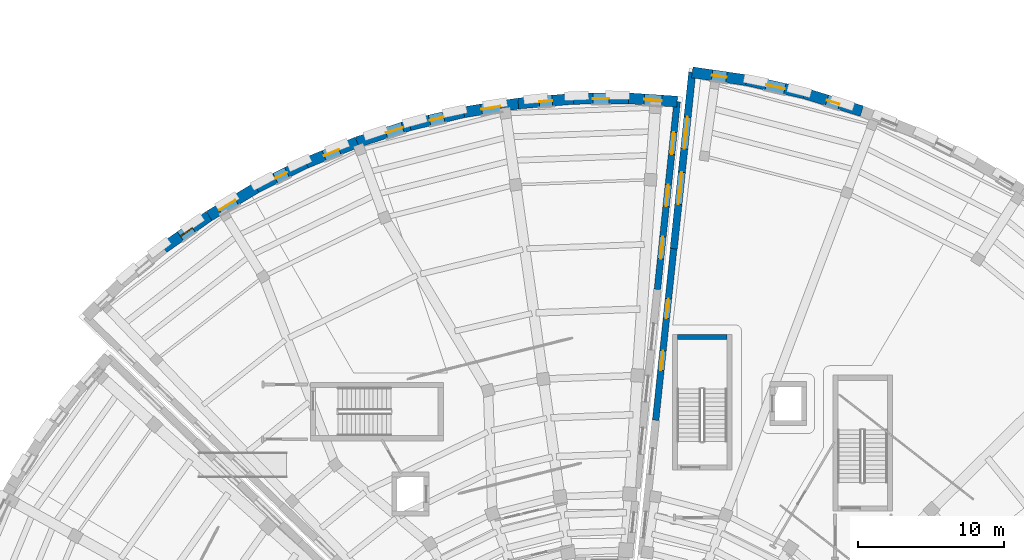
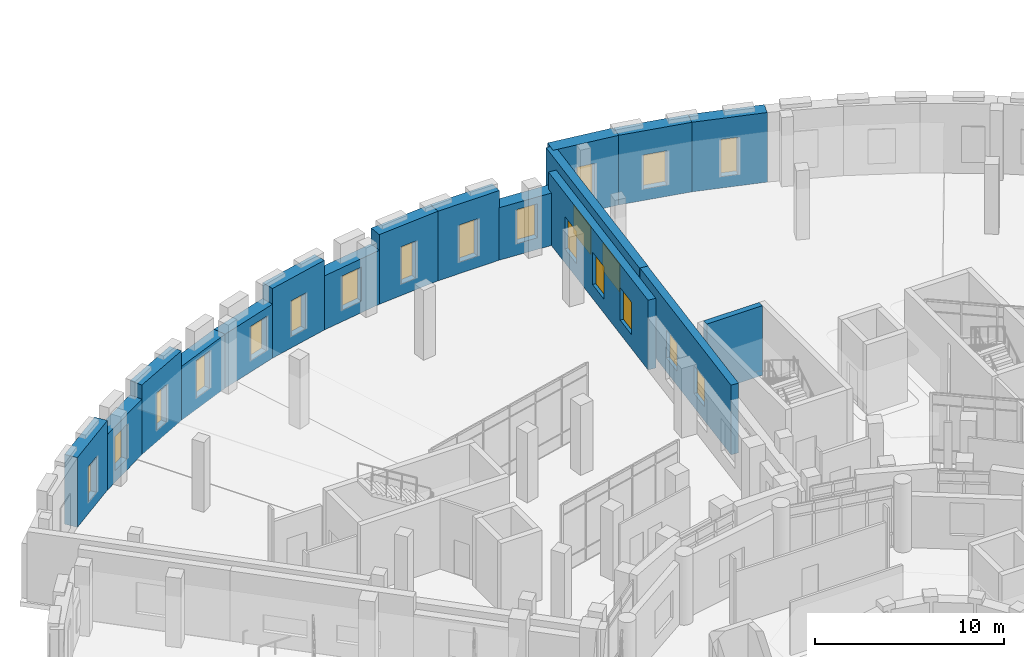
# One storey, part 70 of 89: 20 windows, 17 walls, 20 openings.
"""IFC4 building model written with IfcOpenShell, lengths in metres."""

from ifc_helpers import new_model, si_unit, direction, frame, frame_2d, origin, place, context, subcontext, project, spatial, rectangle, extrude, material, layer, layer_set, type_object, element, fill, save


model = new_model("IFC4")

# Units and contexts
model_context = context("Model", 3, precision=1e-05, world=origin(), true_north=direction((0.0, 1.0)))
body_context = subcontext(model_context, "Body", "Model", "MODEL_VIEW")
ifc_project = project(units=[si_unit("LENGTHUNIT", "METRE"), si_unit("AREAUNIT", "SQUARE_METRE"), si_unit("VOLUMEUNIT", "CUBIC_METRE"), si_unit("PLANEANGLEUNIT", "RADIAN"), si_unit("MASSUNIT", "GRAM", prefix="KILO")], contexts=[model_context])

# Site, building, storey
site_placement = place(None, origin())
site = spatial("IfcSite", under=ifc_project, at=site_placement, CompositionType="ELEMENT")
building_placement = place(site_placement, origin())
building = spatial("IfcBuilding", under=site, at=building_placement, Name="Soyqirgoq Riverine Aquarium", CompositionType="ELEMENT")
storey_placement = place(building_placement, frame((0.0, 0.0, 5.39990234375)))
storey = spatial("IfcBuildingStorey", under=building, at=storey_placement, Name="L02", CompositionType="ELEMENT", Elevation=5.39990234375)

# Wall
ifc_material_1 = material(Name="Concrete C40/50", Category="concrete")
ifc_layer_1 = layer(ifc_material_1, 0.35009765625)
ifc_layer_set_1 = layer_set([ifc_layer_1], Name="Concrete C40/50")
wall_type_1 = type_object("IfcWallType", Name="CoreShearWall_350_C40", PredefinedType="SHEAR", material=ifc_layer_set_1)
wall_1_placement = place(storey_placement, frame((64.199951171875, 90.77490234375, 0.0), z_axis=(0.0, 0.0, 1.0), x_axis=(-1.0, 0.0, 0.0)))
element("IfcWall", 1, at=wall_1_placement, inside=storey, type_object=wall_type_1, Name="CORE-5A L02 Stair Core Shear Wall BACK", PredefinedType="SHEAR", context=body_context, shape_type="SweptSolid", body=[
    extrude(rectangle(XDim=3.39990234375, YDim=0.35009765625, at=frame_2d((1.699951171875, 0.0))), origin(), (0.0, 0.0, 1.0), 4.5),
])

# Wall, openings, windows
ifc_material_2 = material(Name="Honed travertine limestone cavity wall", Category="masonry")
ifc_layer_2 = layer(ifc_material_2, 0.449951171875)
ifc_layer_set_2 = layer_set([ifc_layer_2], Name="Honed travertine limestone cavity wall")
wall_type_2 = type_object("IfcWallType", Name="TravertineCavityWall_450", PredefinedType="SOLIDWALL", material=ifc_layer_set_2)
wall_2_placement = place(storey_placement, frame((60.78271484375, 106.906005859375, 0.0), z_axis=(0.0, 0.0, 1.0), x_axis=(-0.104518901773, -0.994522900275, 0.0)))
wall_2 = element("IfcWall", 2, at=wall_2_placement, inside=storey, type_object=wall_type_2, Name="V4 L02 Exterior Travertine Wall 0195", PredefinedType="SOLIDWALL", context=body_context, shape_type="SweptSolid", body=[
    extrude(rectangle(XDim=12.947509765625, YDim=0.449951171875, at=frame_2d((6.4736328125, 0.0))), origin(), (0.0, 0.0, 1.0), 4.5),
])
opening_1_placement = place(wall_2_placement, frame((2.123779296875, 0.0, 0.89990234375)))
opening_1 = element("IfcOpeningElement", 3, at=opening_1_placement, cuts=wall_2, Name="Opening WN-04", PredefinedType="OPENING", context=body_context, shape_type="SweptSolid", body=[
    extrude(rectangle(XDim=1.5, YDim=2.10009765625, at=frame_2d((0.75, 1.050048828125))), frame((0.0, 0.23486328125, 0.0), z_axis=(0.0, -1.0, 0.0), x_axis=(1.0, 0.0, 0.0)), (0.0, 0.0, 1.0), 0.469970703125),
])
opening_2_placement = place(wall_2_placement, frame((5.723876953125, 0.0, 0.89990234375)))
opening_2 = element("IfcOpeningElement", 4, at=opening_2_placement, cuts=wall_2, Name="Opening WN-04", PredefinedType="OPENING", context=body_context, shape_type="SweptSolid", body=[
    extrude(rectangle(XDim=1.5, YDim=2.10009765625, at=frame_2d((0.75, 1.050048828125))), frame((0.0, 0.23486328125, 0.0), z_axis=(0.0, -1.0, 0.0), x_axis=(1.0, 0.0, 0.0)), (0.0, 0.0, 1.0), 0.469970703125),
])
opening_3_placement = place(wall_2_placement, frame((9.32373046875, 0.0, 0.89990234375)))
opening_3 = element("IfcOpeningElement", 5, at=opening_3_placement, cuts=wall_2, Name="Opening WN-04", PredefinedType="OPENING", context=body_context, shape_type="SweptSolid", body=[
    extrude(rectangle(XDim=1.5, YDim=2.10009765625, at=frame_2d((0.75, 1.050048828125))), frame((0.0, 0.23486328125, 0.0), z_axis=(0.0, -1.0, 0.0), x_axis=(1.0, 0.0, 0.0)), (0.0, 0.0, 1.0), 0.469970703125),
])
ifc_material_3 = material(Name="Thermally broken aluminium triple low-E window", Category="aluminium")
window_type_1 = type_object("IfcWindowType", Name="Win_Gallery_1500x2100", PartitioningType="DOUBLE_PANEL_VERTICAL", PredefinedType="WINDOW", material=ifc_material_3)
window_1_placement = place(opening_1_placement, origin())
window_1 = element("IfcWindow", 6, at=window_1_placement, inside=storey, type_object=window_type_1, Name="V4 L02 Facade Window 0138", OverallHeight=2.10009765625, OverallWidth=1.5, PartitioningType="DOUBLE_PANEL_VERTICAL", PredefinedType="WINDOW", context=body_context, shape_type="SweptSolid", body=[
    extrude(rectangle(XDim=1.5, YDim=2.10009765625, at=frame_2d((0.75, 1.050048828125))), frame((0.0, 0.030029296875, 0.0), z_axis=(0.0, -1.0, 0.0), x_axis=(1.0, 0.0, 0.0)), (0.0, 0.0, 1.0), 0.06005859375),
])
fill(opening_1, window_1)
window_2_placement = place(opening_2_placement, origin())
window_2 = element("IfcWindow", 7, at=window_2_placement, inside=storey, type_object=window_type_1, Name="V4 L02 Facade Window 0139", OverallHeight=2.10009765625, OverallWidth=1.5, PartitioningType="DOUBLE_PANEL_VERTICAL", PredefinedType="WINDOW", context=body_context, shape_type="SweptSolid", body=[
    extrude(rectangle(XDim=1.5, YDim=2.10009765625, at=frame_2d((0.75, 1.050048828125))), frame((0.0, 0.030029296875, 0.0), z_axis=(0.0, -1.0, 0.0), x_axis=(1.0, 0.0, 0.0)), (0.0, 0.0, 1.0), 0.06005859375),
])
fill(opening_2, window_2)
window_3_placement = place(opening_3_placement, origin())
window_3 = element("IfcWindow", 8, at=window_3_placement, inside=storey, type_object=window_type_1, Name="V4 L02 Facade Window 0140", OverallHeight=2.10009765625, OverallWidth=1.5, PartitioningType="DOUBLE_PANEL_VERTICAL", PredefinedType="WINDOW", context=body_context, shape_type="SweptSolid", body=[
    extrude(rectangle(XDim=1.5, YDim=2.10009765625, at=frame_2d((0.75, 1.050048828125))), frame((0.0, 0.030029296875, 0.0), z_axis=(0.0, -1.0, 0.0), x_axis=(1.0, 0.0, 0.0)), (0.0, 0.0, 1.0), 0.06005859375),
])
fill(opening_3, window_3)

wall_3_placement = place(storey_placement, frame((59.311279296875, 85.059814453125, 0.0), z_axis=(0.0, 0.0, 1.0), x_axis=(0.104529993567, 0.994521734526, 0.0)))
wall_3 = element("IfcWall", 9, at=wall_3_placement, inside=storey, type_object=wall_type_2, Name="V5 L02 Exterior Travertine Wall 0263", PredefinedType="SOLIDWALL", context=body_context, shape_type="SweptSolid", body=[
    extrude(rectangle(XDim=11.82275390625, YDim=0.449951171875, at=frame_2d((5.911376953125, 0.0))), origin(), (0.0, 0.0, 1.0), 4.5),
])
opening_4_placement = place(wall_3_placement, frame((3.436279296875, 0.0, 0.89990234375)))
opening_4 = element("IfcOpeningElement", 10, at=opening_4_placement, cuts=wall_3, Name="Opening WN-08", PredefinedType="OPENING", context=body_context, shape_type="SweptSolid", body=[
    extrude(rectangle(XDim=1.35009765625, YDim=1.800048828125, at=frame_2d((0.675048828125, 0.89990234375))), frame((0.0, 0.23486328125, 0.0), z_axis=(0.0, -1.0, 0.0), x_axis=(1.0, 0.0, 0.0)), (0.0, 0.0, 1.0), 0.469970703125),
])
opening_5_placement = place(wall_3_placement, frame((7.036376953125, 0.0, 0.89990234375)))
opening_5 = element("IfcOpeningElement", 11, at=opening_5_placement, cuts=wall_3, Name="Opening WN-08", PredefinedType="OPENING", context=body_context, shape_type="SweptSolid", body=[
    extrude(rectangle(XDim=1.35009765625, YDim=1.800048828125, at=frame_2d((0.675048828125, 0.89990234375))), frame((0.0, 0.23486328125, 0.0), z_axis=(0.0, -1.0, 0.0), x_axis=(1.0, 0.0, 0.0)), (0.0, 0.0, 1.0), 0.469970703125),
])
ifc_material_4 = material(Name="Thermally broken aluminium triple low-E window", Category="aluminium")
window_type_2 = type_object("IfcWindowType", Name="Win_Office_1350x1800", PartitioningType="DOUBLE_PANEL_VERTICAL", PredefinedType="WINDOW", material=ifc_material_4)
window_4_placement = place(opening_4_placement, origin())
window_4 = element("IfcWindow", 12, at=window_4_placement, inside=storey, type_object=window_type_2, Name="V5 L02 Facade Window 0203", OverallHeight=1.800048828125, OverallWidth=1.35009765625, PartitioningType="DOUBLE_PANEL_VERTICAL", PredefinedType="WINDOW", context=body_context, shape_type="SweptSolid", body=[
    extrude(rectangle(XDim=1.35009765625, YDim=1.800048828125, at=frame_2d((0.675048828125, 0.89990234375))), frame((0.0, 0.030029296875, 0.0), z_axis=(0.0, -1.0, 0.0), x_axis=(1.0, 0.0, 0.0)), (0.0, 0.0, 1.0), 0.06005859375),
])
fill(opening_4, window_4)
window_5_placement = place(opening_5_placement, origin())
window_5 = element("IfcWindow", 13, at=window_5_placement, inside=storey, type_object=window_type_2, Name="V5 L02 Facade Window 0204", OverallHeight=1.800048828125, OverallWidth=1.35009765625, PartitioningType="DOUBLE_PANEL_VERTICAL", PredefinedType="WINDOW", context=body_context, shape_type="SweptSolid", body=[
    extrude(rectangle(XDim=1.35009765625, YDim=1.800048828125, at=frame_2d((0.675048828125, 0.89990234375))), frame((0.0, 0.030029296875, 0.0), z_axis=(0.0, -1.0, 0.0), x_axis=(1.0, 0.0, 0.0)), (0.0, 0.0, 1.0), 0.06005859375),
])
fill(opening_5, window_5)

ifc_material_5 = material(Name="Honed travertine limestone cavity wall", Category="masonry")
ifc_layer_3 = layer(ifc_material_5, 0.5)
ifc_layer_set_3 = layer_set([ifc_layer_3], Name="Honed travertine limestone cavity wall")
wall_type_3 = type_object("IfcWallType", Name="TravertineCavityWall_500", PredefinedType="SOLIDWALL", material=ifc_layer_set_3)
wall_4_placement = place(storey_placement, frame((60.547119140625, 96.81787109375, 0.0), z_axis=(0.0, 0.0, 1.0), x_axis=(0.104517571645, 0.994523040064, 0.0)))
wall_4 = element("IfcWall", 14, at=wall_4_placement, inside=storey, type_object=wall_type_3, Name="V5 L02 Exterior Travertine Wall 0264", PredefinedType="SOLIDWALL", context=body_context, shape_type="SweptSolid", body=[
    extrude(rectangle(XDim=12.16064453125, YDim=0.5, at=frame_2d((6.080322265625, 0.0))), origin(), (0.0, 0.0, 1.0), 4.5),
])
opening_6_placement = place(wall_4_placement, frame((3.080322265625, 0.0, 0.89990234375)))
opening_6 = element("IfcOpeningElement", 15, at=opening_6_placement, cuts=wall_4, Name="Opening WN-09", PredefinedType="OPENING", context=body_context, shape_type="SweptSolid", body=[
    extrude(rectangle(XDim=2.199951171875, YDim=1.800048828125, at=frame_2d((1.10009765625, 0.89990234375))), frame((0.0, 0.260009765625, 0.0), z_axis=(0.0, -1.0, 0.0), x_axis=(1.0, 0.0, 0.0)), (0.0, 0.0, 1.0), 0.52001953125),
])
opening_7_placement = place(wall_4_placement, frame((6.88037109375, 0.0, 0.89990234375)))
opening_7 = element("IfcOpeningElement", 16, at=opening_7_placement, cuts=wall_4, Name="Opening WN-09", PredefinedType="OPENING", context=body_context, shape_type="SweptSolid", body=[
    extrude(rectangle(XDim=2.199951171875, YDim=1.800048828125, at=frame_2d((1.10009765625, 0.89990234375))), frame((0.0, 0.260009765625, 0.0), z_axis=(0.0, -1.0, 0.0), x_axis=(1.0, 0.0, 0.0)), (0.0, 0.0, 1.0), 0.52001953125),
])
ifc_material_6 = material(Name="Thermally broken aluminium triple low-E window", Category="aluminium")
window_type_3 = type_object("IfcWindowType", Name="Win_Office_2200x1800", PartitioningType="TRIPLE_PANEL_VERTICAL", PredefinedType="WINDOW", material=ifc_material_6)
window_6_placement = place(opening_6_placement, origin())
window_6 = element("IfcWindow", 17, at=window_6_placement, inside=storey, type_object=window_type_3, Name="V5 L02 Facade Window 0205", OverallHeight=1.800048828125, OverallWidth=2.199951171875, PartitioningType="TRIPLE_PANEL_VERTICAL", PredefinedType="WINDOW", context=body_context, shape_type="SweptSolid", body=[
    extrude(rectangle(XDim=2.199951171875, YDim=1.800048828125, at=frame_2d((1.10009765625, 0.89990234375))), frame((0.0, 0.030029296875, 0.0), z_axis=(0.0, -1.0, 0.0), x_axis=(1.0, 0.0, 0.0)), (0.0, 0.0, 1.0), 0.06005859375),
])
fill(opening_6, window_6)
window_7_placement = place(opening_7_placement, origin())
window_7 = element("IfcWindow", 18, at=window_7_placement, inside=storey, type_object=window_type_3, Name="V5 L02 Facade Window 0206", OverallHeight=1.800048828125, OverallWidth=2.199951171875, PartitioningType="TRIPLE_PANEL_VERTICAL", PredefinedType="WINDOW", context=body_context, shape_type="SweptSolid", body=[
    extrude(rectangle(XDim=2.199951171875, YDim=1.800048828125, at=frame_2d((1.10009765625, 0.89990234375))), frame((0.0, 0.030029296875, 0.0), z_axis=(0.0, -1.0, 0.0), x_axis=(1.0, 0.0, 0.0)), (0.0, 0.0, 1.0), 0.06005859375),
])
fill(opening_7, window_7)

# Wall, opening, window
ifc_material_7 = material(Name="Honed travertine limestone cavity wall", Category="masonry")
ifc_layer_4 = layer(ifc_material_7, 0.75)
ifc_layer_set_4 = layer_set([ifc_layer_4], Name="Honed travertine limestone cavity wall")
wall_type_4 = type_object("IfcWallType", Name="TravertineNicheWall_750", PredefinedType="SOLIDWALL", material=ifc_layer_set_4)
wall_5_placement = place(storey_placement, frame((25.586669921875, 96.875, 0.0), z_axis=(0.0, 0.0, 1.0), x_axis=(0.817470720904, 0.57597015588, 0.0)))
wall_5 = element("IfcWall", 19, at=wall_5_placement, inside=storey, type_object=wall_type_4, Name="V4 L02 Exterior Travertine Wall 0185", PredefinedType="SOLIDWALL", context=body_context, shape_type="SweptSolid", body=[
    extrude(rectangle(XDim=3.7919921875, YDim=0.75, at=frame_2d((1.89599609375, 0.0))), origin(), (0.0, 0.0, 1.0), 4.5),
])
opening_8_placement = place(wall_5_placement, frame((1.39599609375, 0.0, 0.75)))
opening_8 = element("IfcOpeningElement", 20, at=opening_8_placement, cuts=wall_5, Name="Opening WN-11", PredefinedType="OPENING", context=body_context, shape_type="SweptSolid", body=[
    extrude(rectangle(XDim=1.0, YDim=2.300048828125, at=frame_2d((0.5, 1.14990234375))), frame((0.0, 0.385009765625, 0.0), z_axis=(0.0, -1.0, 0.0), x_axis=(1.0, 0.0, 0.0)), (0.0, 0.0, 1.0), 0.77001953125),
])
ifc_material_8 = material(Name="Thermally broken aluminium triple low-E window", Category="aluminium")
window_type_4 = type_object("IfcWindowType", Name="Win_Niche_1000x2300", PartitioningType="SINGLE_PANEL", PredefinedType="WINDOW", material=ifc_material_8)
window_8_placement = place(opening_8_placement, origin())
window_8 = element("IfcWindow", 21, at=window_8_placement, inside=storey, type_object=window_type_4, Name="V4 L02 Facade Window 0128", OverallHeight=2.300048828125, OverallWidth=1.0, PartitioningType="SINGLE_PANEL", PredefinedType="WINDOW", context=body_context, shape_type="SweptSolid", body=[
    extrude(rectangle(XDim=1.0, YDim=2.300048828125, at=frame_2d((0.5, 1.14990234375))), frame((0.0, 0.030029296875, 0.0), z_axis=(0.0, -1.0, 0.0), x_axis=(1.0, 0.0, 0.0)), (0.0, 0.0, 1.0), 0.06005859375),
])
fill(opening_8, window_8)

wall_6_placement = place(storey_placement, frame((28.6865234375, 99.05908203125, 0.0), z_axis=(0.0, 0.0, 1.0), x_axis=(0.858644028079, 0.512572368592, 0.0)))
wall_6 = element("IfcWall", 22, at=wall_6_placement, inside=storey, type_object=wall_type_4, Name="V4 L02 Exterior Travertine Wall 0186", PredefinedType="SOLIDWALL", context=body_context, shape_type="SweptSolid", body=[
    extrude(rectangle(XDim=3.791748046875, YDim=0.75, at=frame_2d((1.89599609375, 0.0))), origin(), (0.0, 0.0, 1.0), 3.590087890625),
])
opening_9_placement = place(wall_6_placement, frame((0.825927734375, 0.0, 0.75)))
opening_9 = element("IfcOpeningElement", 23, at=opening_9_placement, cuts=wall_6, Name="Opening WN-12", PredefinedType="OPENING", context=body_context, shape_type="SweptSolid", body=[
    extrude(rectangle(XDim=1.300048828125, YDim=2.199951171875, at=frame_2d((0.64990234375, 1.10009765625))), frame((0.0, 0.385009765625, 0.0), z_axis=(0.0, -1.0, 0.0), x_axis=(1.0, 0.0, 0.0)), (0.0, 0.0, 1.0), 0.77001953125),
])
ifc_material_9 = material(Name="Thermally broken aluminium triple low-E window", Category="aluminium")
window_type_5 = type_object("IfcWindowType", Name="Win_Niche_1300x2200", PartitioningType="DOUBLE_PANEL_VERTICAL", PredefinedType="WINDOW", material=ifc_material_9)
window_9_placement = place(opening_9_placement, origin())
window_9 = element("IfcWindow", 24, at=window_9_placement, inside=storey, type_object=window_type_5, Name="V4 L02 Facade Window 0129", OverallHeight=2.199951171875, OverallWidth=1.300048828125, PartitioningType="DOUBLE_PANEL_VERTICAL", PredefinedType="WINDOW", context=body_context, shape_type="SweptSolid", body=[
    extrude(rectangle(XDim=1.300048828125, YDim=2.199951171875, at=frame_2d((0.64990234375, 1.10009765625))), frame((0.0, 0.030029296875, 0.0), z_axis=(0.0, -1.0, 0.0), x_axis=(1.0, 0.0, 0.0)), (0.0, 0.0, 1.0), 0.06005859375),
])
fill(opening_9, window_9)

wall_7_placement = place(storey_placement, frame((31.9423828125, 101.002685546875, 0.0), z_axis=(0.0, 0.0, 1.0), x_axis=(0.89495448859, 0.446157442337, 0.0)))
wall_7 = element("IfcWall", 25, at=wall_7_placement, inside=storey, type_object=wall_type_4, Name="V4 L02 Exterior Travertine Wall 0187", PredefinedType="SOLIDWALL", context=body_context, shape_type="SweptSolid", body=[
    extrude(rectangle(XDim=3.792236328125, YDim=0.75, at=frame_2d((1.89599609375, 0.0))), origin(), (0.0, 0.0, 1.0), 4.5),
])
opening_10_placement = place(wall_7_placement, frame((1.446044921875, 0.0, 0.75)))
opening_10 = element("IfcOpeningElement", 26, at=opening_10_placement, cuts=wall_7, Name="Opening WN-01", PredefinedType="OPENING", context=body_context, shape_type="SweptSolid", body=[
    extrude(rectangle(XDim=0.89990234375, YDim=2.39990234375, at=frame_2d((0.449951171875, 1.199951171875))), frame((0.0, 0.385009765625, 0.0), z_axis=(0.0, -1.0, 0.0), x_axis=(1.0, 0.0, 0.0)), (0.0, 0.0, 1.0), 0.77001953125),
])
ifc_material_10 = material(Name="Thermally broken aluminium triple low-E window", Category="aluminium")
window_type_6 = type_object("IfcWindowType", Name="Win_Niche_900x2400", PartitioningType="SINGLE_PANEL", PredefinedType="WINDOW", material=ifc_material_10)
window_10_placement = place(opening_10_placement, origin())
window_10 = element("IfcWindow", 27, at=window_10_placement, inside=storey, type_object=window_type_6, Name="V4 L02 Facade Window 0130", OverallHeight=2.39990234375, OverallWidth=0.89990234375, PartitioningType="SINGLE_PANEL", PredefinedType="WINDOW", context=body_context, shape_type="SweptSolid", body=[
    extrude(rectangle(XDim=0.89990234375, YDim=2.39990234375, at=frame_2d((0.449951171875, 1.199951171875))), frame((0.0, 0.030029296875, 0.0), z_axis=(0.0, -1.0, 0.0), x_axis=(1.0, 0.0, 0.0)), (0.0, 0.0, 1.0), 0.06005859375),
])
fill(opening_10, window_10)

wall_8_placement = place(storey_placement, frame((35.336181640625, 102.694580078125, 0.0), z_axis=(0.0, 0.0, 1.0), x_axis=(0.92607319541, 0.377343923686, 0.0)))
wall_8 = element("IfcWall", 28, at=wall_8_placement, inside=storey, type_object=wall_type_4, Name="V4 L02 Exterior Travertine Wall 0188", PredefinedType="SOLIDWALL", context=body_context, shape_type="SweptSolid", body=[
    extrude(rectangle(XDim=3.7919921875, YDim=0.75, at=frame_2d((1.89599609375, 0.0))), origin(), (0.0, 0.0, 1.0), 3.489990234375),
])
opening_11_placement = place(wall_8_placement, frame((1.345947265625, 0.0, 0.75)))
opening_11 = element("IfcOpeningElement", 29, at=opening_11_placement, cuts=wall_8, Name="Opening WN-02", PredefinedType="OPENING", context=body_context, shape_type="SweptSolid", body=[
    extrude(rectangle(XDim=1.10009765625, YDim=2.39990234375, at=frame_2d((0.550048828125, 1.199951171875))), frame((0.0, 0.385009765625, 0.0), z_axis=(0.0, -1.0, 0.0), x_axis=(1.0, 0.0, 0.0)), (0.0, 0.0, 1.0), 0.77001953125),
])
ifc_material_11 = material(Name="Thermally broken aluminium triple low-E window", Category="aluminium")
window_type_7 = type_object("IfcWindowType", Name="Win_Niche_1100x2400", PartitioningType="SINGLE_PANEL", PredefinedType="WINDOW", material=ifc_material_11)
window_11_placement = place(opening_11_placement, origin())
window_11 = element("IfcWindow", 30, at=window_11_placement, inside=storey, type_object=window_type_7, Name="V4 L02 Facade Window 0131", OverallHeight=2.39990234375, OverallWidth=1.10009765625, PartitioningType="SINGLE_PANEL", PredefinedType="WINDOW", context=body_context, shape_type="SweptSolid", body=[
    extrude(rectangle(XDim=1.10009765625, YDim=2.39990234375, at=frame_2d((0.550048828125, 1.199951171875))), frame((0.0, 0.030029296875, 0.0), z_axis=(0.0, -1.0, 0.0), x_axis=(1.0, 0.0, 0.0)), (0.0, 0.0, 1.0), 0.06005859375),
])
fill(opening_11, window_11)

wall_9_placement = place(storey_placement, frame((38.847900390625, 104.12548828125, 0.0), z_axis=(0.0, 0.0, 1.0), x_axis=(0.951959535224, 0.306223845081, 0.0)))
wall_9 = element("IfcWall", 31, at=wall_9_placement, inside=storey, type_object=wall_type_4, Name="V4 L02 Exterior Travertine Wall 0189", PredefinedType="SOLIDWALL", context=body_context, shape_type="SweptSolid", body=[
    extrude(rectangle(XDim=3.791748046875, YDim=0.75, at=frame_2d((1.89599609375, 0.0))), origin(), (0.0, 0.0, 1.0), 3.489990234375),
])
opening_12_placement = place(wall_9_placement, frame((2.075927734375, 0.0, 0.75)))
opening_12 = element("IfcOpeningElement", 32, at=opening_12_placement, cuts=wall_9, Name="Opening WN-03", PredefinedType="OPENING", context=body_context, shape_type="SweptSolid", body=[
    extrude(rectangle(XDim=1.199951171875, YDim=2.199951171875, at=frame_2d((0.60009765625, 1.10009765625))), frame((0.0, 0.385009765625, 0.0), z_axis=(0.0, -1.0, 0.0), x_axis=(1.0, 0.0, 0.0)), (0.0, 0.0, 1.0), 0.77001953125),
])
ifc_material_12 = material(Name="Thermally broken aluminium triple low-E window", Category="aluminium")
window_type_8 = type_object("IfcWindowType", Name="Win_Niche_1200x2200", PartitioningType="DOUBLE_PANEL_VERTICAL", PredefinedType="WINDOW", material=ifc_material_12)
window_12_placement = place(opening_12_placement, origin())
window_12 = element("IfcWindow", 33, at=window_12_placement, inside=storey, type_object=window_type_8, Name="V4 L02 Facade Window 0132", OverallHeight=2.199951171875, OverallWidth=1.199951171875, PartitioningType="DOUBLE_PANEL_VERTICAL", PredefinedType="WINDOW", context=body_context, shape_type="SweptSolid", body=[
    extrude(rectangle(XDim=1.199951171875, YDim=2.199951171875, at=frame_2d((0.60009765625, 1.10009765625))), frame((0.0, 0.030029296875, 0.0), z_axis=(0.0, -1.0, 0.0), x_axis=(1.0, 0.0, 0.0)), (0.0, 0.0, 1.0), 0.06005859375),
])
fill(opening_12, window_12)

wall_10_placement = place(storey_placement, frame((42.45751953125, 105.28662109375, 0.0), z_axis=(0.0, 0.0, 1.0), x_axis=(0.972368597745, 0.233450873033, 0.0)))
wall_10 = element("IfcWall", 34, at=wall_10_placement, inside=storey, type_object=wall_type_4, Name="V4 L02 Exterior Travertine Wall 0190", PredefinedType="SOLIDWALL", context=body_context, shape_type="SweptSolid", body=[
    extrude(rectangle(XDim=3.7919921875, YDim=0.75, at=frame_2d((1.89599609375, 0.0))), origin(), (0.0, 0.0, 1.0), 4.5),
])
opening_13_placement = place(wall_10_placement, frame((1.39599609375, 0.0, 0.75)))
opening_13 = element("IfcOpeningElement", 35, at=opening_13_placement, cuts=wall_10, Name="Opening WN-11", PredefinedType="OPENING", context=body_context, shape_type="SweptSolid", body=[
    extrude(rectangle(XDim=1.0, YDim=2.300048828125, at=frame_2d((0.5, 1.14990234375))), frame((0.0, 0.385009765625, 0.0), z_axis=(0.0, -1.0, 0.0), x_axis=(1.0, 0.0, 0.0)), (0.0, 0.0, 1.0), 0.77001953125),
])
window_13_placement = place(opening_13_placement, origin())
window_13 = element("IfcWindow", 36, at=window_13_placement, inside=storey, type_object=window_type_4, Name="V4 L02 Facade Window 0133", OverallHeight=2.300048828125, OverallWidth=1.0, PartitioningType="SINGLE_PANEL", PredefinedType="WINDOW", context=body_context, shape_type="SweptSolid", body=[
    extrude(rectangle(XDim=1.0, YDim=2.300048828125, at=frame_2d((0.5, 1.14990234375))), frame((0.0, 0.030029296875, 0.0), z_axis=(0.0, -1.0, 0.0), x_axis=(1.0, 0.0, 0.0)), (0.0, 0.0, 1.0), 0.06005859375),
])
fill(opening_13, window_13)

wall_11_placement = place(storey_placement, frame((46.144775390625, 106.171875, 0.0), z_axis=(0.0, 0.0, 1.0), x_axis=(0.987231650427, 0.159291143492, 0.0)))
wall_11 = element("IfcWall", 37, at=wall_11_placement, inside=storey, type_object=wall_type_4, Name="V4 L02 Exterior Travertine Wall 0191", PredefinedType="SOLIDWALL", context=body_context, shape_type="SweptSolid", body=[
    extrude(rectangle(XDim=3.791748046875, YDim=0.75, at=frame_2d((1.89599609375, 0.0))), origin(), (0.0, 0.0, 1.0), 3.489990234375),
])
opening_14_placement = place(wall_11_placement, frame((1.24609375, 0.0, 0.75)))
opening_14 = element("IfcOpeningElement", 38, at=opening_14_placement, cuts=wall_11, Name="Opening WN-12", PredefinedType="OPENING", context=body_context, shape_type="SweptSolid", body=[
    extrude(rectangle(XDim=1.300048828125, YDim=2.199951171875, at=frame_2d((0.64990234375, 1.10009765625))), frame((0.0, 0.385009765625, 0.0), z_axis=(0.0, -1.0, 0.0), x_axis=(1.0, 0.0, 0.0)), (0.0, 0.0, 1.0), 0.77001953125),
])
window_14_placement = place(opening_14_placement, origin())
window_14 = element("IfcWindow", 39, at=window_14_placement, inside=storey, type_object=window_type_5, Name="V4 L02 Facade Window 0134", OverallHeight=2.199951171875, OverallWidth=1.300048828125, PartitioningType="DOUBLE_PANEL_VERTICAL", PredefinedType="WINDOW", context=body_context, shape_type="SweptSolid", body=[
    extrude(rectangle(XDim=1.300048828125, YDim=2.199951171875, at=frame_2d((0.64990234375, 1.10009765625))), frame((0.0, 0.030029296875, 0.0), z_axis=(0.0, -1.0, 0.0), x_axis=(1.0, 0.0, 0.0)), (0.0, 0.0, 1.0), 0.06005859375),
])
fill(opening_14, window_14)

wall_12_placement = place(storey_placement, frame((49.88818359375, 106.77587890625, 0.0), z_axis=(0.0, 0.0, 1.0), x_axis=(0.996442430759, 0.084276225487, 0.0)))
wall_12 = element("IfcWall", 40, at=wall_12_placement, inside=storey, type_object=wall_type_4, Name="V4 L02 Exterior Travertine Wall 0192", PredefinedType="SOLIDWALL", context=body_context, shape_type="SweptSolid", body=[
    extrude(rectangle(XDim=3.7919921875, YDim=0.75, at=frame_2d((1.89599609375, 0.0))), origin(), (0.0, 0.0, 1.0), 4.5),
])
opening_15_placement = place(wall_12_placement, frame((1.446044921875, 0.0, 0.75)))
opening_15 = element("IfcOpeningElement", 41, at=opening_15_placement, cuts=wall_12, Name="Opening WN-01", PredefinedType="OPENING", context=body_context, shape_type="SweptSolid", body=[
    extrude(rectangle(XDim=0.89990234375, YDim=2.39990234375, at=frame_2d((0.449951171875, 1.199951171875))), frame((0.0, 0.385009765625, 0.0), z_axis=(0.0, -1.0, 0.0), x_axis=(1.0, 0.0, 0.0)), (0.0, 0.0, 1.0), 0.77001953125),
])
window_15_placement = place(opening_15_placement, origin())
window_15 = element("IfcWindow", 42, at=window_15_placement, inside=storey, type_object=window_type_6, Name="V4 L02 Facade Window 0135", OverallHeight=2.39990234375, OverallWidth=0.89990234375, PartitioningType="SINGLE_PANEL", PredefinedType="WINDOW", context=body_context, shape_type="SweptSolid", body=[
    extrude(rectangle(XDim=0.89990234375, YDim=2.39990234375, at=frame_2d((0.449951171875, 1.199951171875))), frame((0.0, 0.030029296875, 0.0), z_axis=(0.0, -1.0, 0.0), x_axis=(1.0, 0.0, 0.0)), (0.0, 0.0, 1.0), 0.06005859375),
])
fill(opening_15, window_15)

wall_13_placement = place(storey_placement, frame((53.666748046875, 107.095458984375, 0.0), z_axis=(0.0, 0.0, 1.0), x_axis=(0.999962224163, 0.008691964475, 0.0)))
wall_13 = element("IfcWall", 43, at=wall_13_placement, inside=storey, type_object=wall_type_4, Name="V4 L02 Exterior Travertine Wall 0193", PredefinedType="SOLIDWALL", context=body_context, shape_type="SweptSolid", body=[
    extrude(rectangle(XDim=3.7919921875, YDim=0.75, at=frame_2d((1.89599609375, 0.0))), origin(), (0.0, 0.0, 1.0), 4.5),
])
opening_16_placement = place(wall_13_placement, frame((1.345947265625, 0.0, 0.75)))
opening_16 = element("IfcOpeningElement", 44, at=opening_16_placement, cuts=wall_13, Name="Opening WN-02", PredefinedType="OPENING", context=body_context, shape_type="SweptSolid", body=[
    extrude(rectangle(XDim=1.10009765625, YDim=2.39990234375, at=frame_2d((0.550048828125, 1.199951171875))), frame((0.0, 0.385009765625, 0.0), z_axis=(0.0, -1.0, 0.0), x_axis=(1.0, 0.0, 0.0)), (0.0, 0.0, 1.0), 0.77001953125),
])
window_16_placement = place(opening_16_placement, origin())
window_16 = element("IfcWindow", 45, at=window_16_placement, inside=storey, type_object=window_type_7, Name="V4 L02 Facade Window 0136", OverallHeight=2.39990234375, OverallWidth=1.10009765625, PartitioningType="SINGLE_PANEL", PredefinedType="WINDOW", context=body_context, shape_type="SweptSolid", body=[
    extrude(rectangle(XDim=1.10009765625, YDim=2.39990234375, at=frame_2d((0.550048828125, 1.199951171875))), frame((0.0, 0.030029296875, 0.0), z_axis=(0.0, -1.0, 0.0), x_axis=(1.0, 0.0, 0.0)), (0.0, 0.0, 1.0), 0.06005859375),
])
fill(opening_16, window_16)

wall_14_placement = place(storey_placement, frame((57.45849609375, 107.12841796875, 0.0), z_axis=(0.0, 0.0, 1.0), x_axis=(0.997769241433, -0.066757328066, 0.0)))
wall_14 = element("IfcWall", 46, at=wall_14_placement, inside=storey, type_object=wall_type_4, Name="V4 L02 Exterior Travertine Wall 0194", PredefinedType="SOLIDWALL", context=body_context, shape_type="SweptSolid", body=[
    extrude(rectangle(XDim=3.33154296875, YDim=0.75, at=frame_2d((1.665771484375, 0.0))), origin(), (0.0, 0.0, 1.0), 3.39013671875),
])
opening_17_placement = place(wall_14_placement, frame((1.06591796875, 0.0, 0.75)))
opening_17 = element("IfcOpeningElement", 47, at=opening_17_placement, cuts=wall_14, Name="Opening WN-03", PredefinedType="OPENING", context=body_context, shape_type="SweptSolid", body=[
    extrude(rectangle(XDim=1.199951171875, YDim=2.199951171875, at=frame_2d((0.60009765625, 1.10009765625))), frame((0.0, 0.385009765625, 0.0), z_axis=(0.0, -1.0, 0.0), x_axis=(1.0, 0.0, 0.0)), (0.0, 0.0, 1.0), 0.77001953125),
])
window_17_placement = place(opening_17_placement, origin())
window_17 = element("IfcWindow", 48, at=window_17_placement, inside=storey, type_object=window_type_8, Name="V4 L02 Facade Window 0137", OverallHeight=2.199951171875, OverallWidth=1.199951171875, PartitioningType="DOUBLE_PANEL_VERTICAL", PredefinedType="WINDOW", context=body_context, shape_type="SweptSolid", body=[
    extrude(rectangle(XDim=1.199951171875, YDim=2.199951171875, at=frame_2d((0.60009765625, 1.10009765625))), frame((0.0, 0.030029296875, 0.0), z_axis=(0.0, -1.0, 0.0), x_axis=(1.0, 0.0, 0.0)), (0.0, 0.0, 1.0), 0.06005859375),
])
fill(opening_17, window_17)

wall_15_placement = place(storey_placement, frame((61.818115234375, 108.911865234375, 0.0), z_axis=(0.0, 0.0, 1.0), x_axis=(0.989656438185, -0.143457779009, 0.0)))
wall_15 = element("IfcWall", 49, at=wall_15_placement, inside=storey, type_object=wall_type_4, Name="V5 L02 Exterior Travertine Wall 0265", PredefinedType="SOLIDWALL", context=body_context, shape_type="SweptSolid", body=[
    extrude(rectangle(XDim=3.742431640625, YDim=0.75, at=frame_2d((1.87109375, 0.0))), origin(), (0.0, 0.0, 1.0), 4.5),
])
opening_18_placement = place(wall_15_placement, frame((1.37109375, 0.0, 0.75)))
opening_18 = element("IfcOpeningElement", 50, at=opening_18_placement, cuts=wall_15, Name="Opening WN-11", PredefinedType="OPENING", context=body_context, shape_type="SweptSolid", body=[
    extrude(rectangle(XDim=1.0, YDim=2.300048828125, at=frame_2d((0.5, 1.14990234375))), frame((0.0, 0.385009765625, 0.0), z_axis=(0.0, -1.0, 0.0), x_axis=(1.0, 0.0, 0.0)), (0.0, 0.0, 1.0), 0.77001953125),
])
window_18_placement = place(opening_18_placement, origin())
window_18 = element("IfcWindow", 51, at=window_18_placement, inside=storey, type_object=window_type_4, Name="V5 L02 Facade Window 0207", OverallHeight=2.300048828125, OverallWidth=1.0, PartitioningType="SINGLE_PANEL", PredefinedType="WINDOW", context=body_context, shape_type="SweptSolid", body=[
    extrude(rectangle(XDim=1.0, YDim=2.300048828125, at=frame_2d((0.5, 1.14990234375))), frame((0.0, 0.030029296875, 0.0), z_axis=(0.0, -1.0, 0.0), x_axis=(1.0, 0.0, 0.0)), (0.0, 0.0, 1.0), 0.06005859375),
])
fill(opening_18, window_18)

wall_16_placement = place(storey_placement, frame((65.521728515625, 108.375, 0.0), z_axis=(0.0, 0.0, 1.0), x_axis=(0.975338200336, -0.220715642773, 0.0)))
wall_16 = element("IfcWall", 52, at=wall_16_placement, inside=storey, type_object=wall_type_4, Name="V5 L02 Exterior Travertine Wall 0266", PredefinedType="SOLIDWALL", context=body_context, shape_type="SweptSolid", body=[
    extrude(rectangle(XDim=4.1025390625, YDim=0.75, at=frame_2d((2.05126953125, 0.0))), origin(), (0.0, 0.0, 1.0), 4.5),
])
opening_19_placement = place(wall_16_placement, frame((1.4013671875, 0.0, 0.75)))
opening_19 = element("IfcOpeningElement", 53, at=opening_19_placement, cuts=wall_16, Name="Opening WN-12", PredefinedType="OPENING", context=body_context, shape_type="SweptSolid", body=[
    extrude(rectangle(XDim=1.300048828125, YDim=2.199951171875, at=frame_2d((0.64990234375, 1.10009765625))), frame((0.0, 0.385009765625, 0.0), z_axis=(0.0, -1.0, 0.0), x_axis=(1.0, 0.0, 0.0)), (0.0, 0.0, 1.0), 0.77001953125),
])
window_19_placement = place(opening_19_placement, origin())
window_19 = element("IfcWindow", 54, at=window_19_placement, inside=storey, type_object=window_type_5, Name="V5 L02 Facade Window 0208", OverallHeight=2.199951171875, OverallWidth=1.300048828125, PartitioningType="DOUBLE_PANEL_VERTICAL", PredefinedType="WINDOW", context=body_context, shape_type="SweptSolid", body=[
    extrude(rectangle(XDim=1.300048828125, YDim=2.199951171875, at=frame_2d((0.64990234375, 1.10009765625))), frame((0.0, 0.030029296875, 0.0), z_axis=(0.0, -1.0, 0.0), x_axis=(1.0, 0.0, 0.0)), (0.0, 0.0, 1.0), 0.06005859375),
])
fill(opening_19, window_19)

wall_17_placement = place(storey_placement, frame((69.523193359375, 107.469482421875, 0.0), z_axis=(0.0, 0.0, 1.0), x_axis=(0.955025791423, -0.296522744013, 0.0)))
wall_17 = element("IfcWall", 55, at=wall_17_placement, inside=storey, type_object=wall_type_4, Name="V5 L02 Exterior Travertine Wall 0267", PredefinedType="SOLIDWALL", context=body_context, shape_type="SweptSolid", body=[
    extrude(rectangle(XDim=4.102783203125, YDim=0.75, at=frame_2d((2.05126953125, 0.0))), origin(), (0.0, 0.0, 1.0), 4.5),
])
opening_20_placement = place(wall_17_placement, frame((1.601318359375, 0.0, 0.75)))
opening_20 = element("IfcOpeningElement", 56, at=opening_20_placement, cuts=wall_17, Name="Opening WN-01", PredefinedType="OPENING", context=body_context, shape_type="SweptSolid", body=[
    extrude(rectangle(XDim=0.89990234375, YDim=2.39990234375, at=frame_2d((0.449951171875, 1.199951171875))), frame((0.0, 0.385009765625, 0.0), z_axis=(0.0, -1.0, 0.0), x_axis=(1.0, 0.0, 0.0)), (0.0, 0.0, 1.0), 0.77001953125),
])
window_20_placement = place(opening_20_placement, origin())
window_20 = element("IfcWindow", 57, at=window_20_placement, inside=storey, type_object=window_type_6, Name="V5 L02 Facade Window 0209", OverallHeight=2.39990234375, OverallWidth=0.89990234375, PartitioningType="SINGLE_PANEL", PredefinedType="WINDOW", context=body_context, shape_type="SweptSolid", body=[
    extrude(rectangle(XDim=0.89990234375, YDim=2.39990234375, at=frame_2d((0.449951171875, 1.199951171875))), frame((0.0, 0.030029296875, 0.0), z_axis=(0.0, -1.0, 0.0), x_axis=(1.0, 0.0, 0.0)), (0.0, 0.0, 1.0), 0.06005859375),
])
fill(opening_20, window_20)

save(model, "model.ifc")
